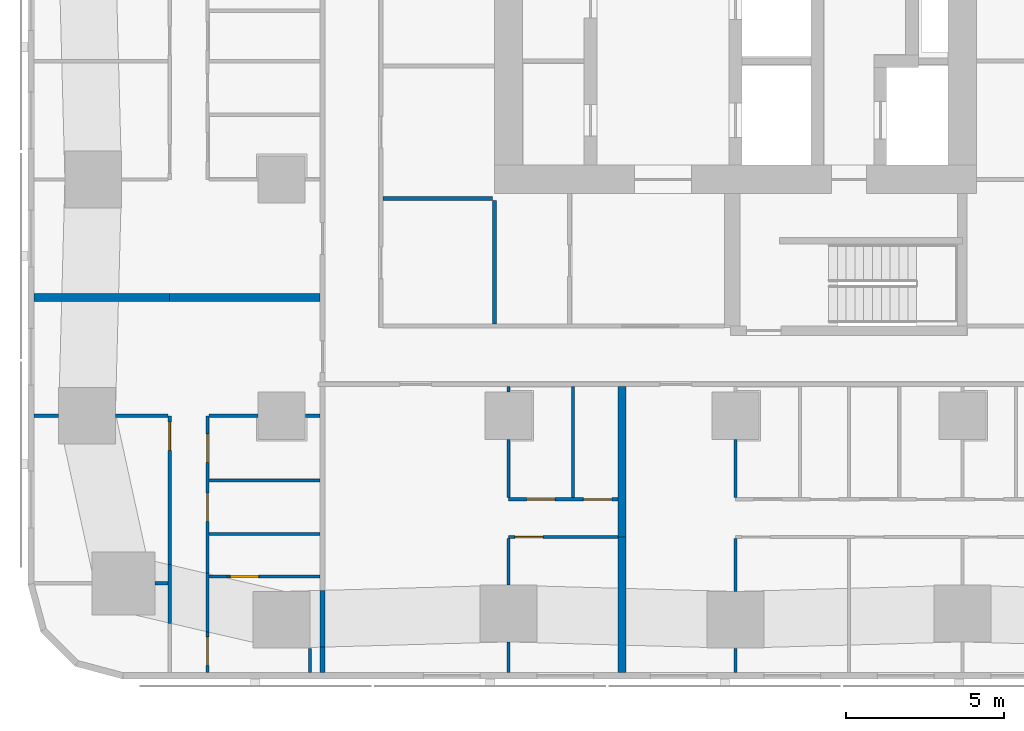
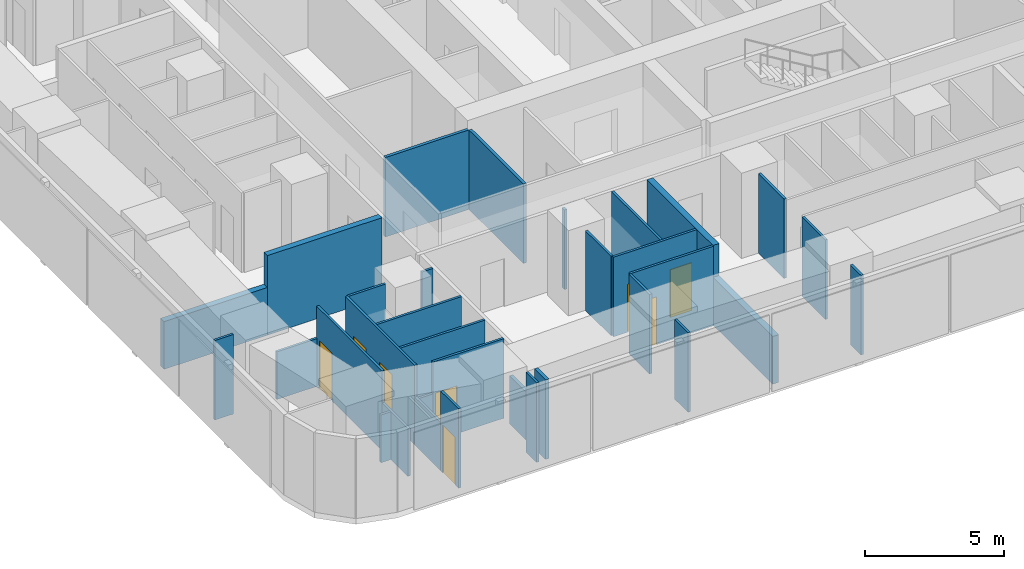
# One storey, part 2 of 15: 33 walls, 8 doors, 8 openings.
"""IFC4 building model written with IfcOpenShell, lengths in metres."""

from ifc_helpers import new_model, si_unit, direction, frame, frame_2d, origin, place, context, subcontext, project, spatial, rectangle, extrude, material, layer, layer_set, type_object, element, fill, save


model = new_model("IFC4")

# Units and contexts
model_context = context("Model", 3, precision=1e-05, world=origin(), true_north=direction((0.0, 1.0)))
body_context = subcontext(model_context, "Body", "Model", "MODEL_VIEW")
ifc_project = project(units=[si_unit("LENGTHUNIT", "METRE"), si_unit("AREAUNIT", "SQUARE_METRE"), si_unit("VOLUMEUNIT", "CUBIC_METRE"), si_unit("PLANEANGLEUNIT", "RADIAN"), si_unit("MASSUNIT", "GRAM", prefix="KILO")], contexts=[model_context])

# Site, building, storey
site_placement = place(None, origin())
site = spatial("IfcSite", under=ifc_project, at=site_placement, CompositionType="ELEMENT")
building_placement = place(site_placement, origin())
building = spatial("IfcBuilding", under=site, at=building_placement, Name="Sheger Commons Tower", CompositionType="ELEMENT")
storey_placement = place(building_placement, frame((0.0, 0.0, 139.550048828125)))
storey = spatial("IfcBuildingStorey", under=building, at=storey_placement, Name="L35", CompositionType="ELEMENT", Elevation=139.550048828125)

# Walls
ifc_material_1 = material(Name="Hollow concrete block masonry, skimmed both sides", Category="masonry")
ifc_layer_1 = layer(ifc_material_1, 0.14990234375)
ifc_layer_set_1 = layer_set([ifc_layer_1], Name="CORRIDOR WALL 150")
wall_type_1 = type_object("IfcWallType", Name="CORRIDOR WALL 150", PredefinedType="SOLIDWALL", material=ifc_layer_set_1)
wall_1_placement = place(storey_placement, frame((8.5, -0.64990234375, 0.0), z_axis=(0.0, 0.0, 1.0), x_axis=(0.0, 1.0, 0.0)))
element("IfcWall", 1, at=wall_1_placement, inside=storey, type_object=wall_type_1, Name="Corridor wall L35", PredefinedType="SOLIDWALL", context=body_context, shape_type="SweptSolid", body=[
    extrude(rectangle(XDim=0.808837890625, YDim=0.14990234375, at=frame_2d((0.404296875, 0.0))), origin(), (0.0, 0.0, 1.0), 3.5),
])
wall_2_placement = place(storey_placement, frame((8.5, 0.158935546875, 0.0), z_axis=(0.0, 0.0, 1.0), x_axis=(0.0, 1.0, 0.0)))
element("IfcWall", 2, at=wall_2_placement, inside=storey, type_object=wall_type_1, Name="Corridor wall L35", PredefinedType="SOLIDWALL", context=body_context, shape_type="SweptSolid", body=[
    extrude(rectangle(XDim=1.80517578125, YDim=0.14990234375, at=frame_2d((0.902587890625, 0.0))), origin(), (0.0, 0.0, 1.0), 2.099853515625),
])
ifc_material_2 = material(Name="Dense concrete block masonry, plastered both sides (separating wall between flats)", Category="masonry")
ifc_layer_2 = layer(ifc_material_2, 0.25)
ifc_layer_set_2 = layer_set([ifc_layer_2], Name="DEMISING WALL 250")
wall_type_2 = type_object("IfcWallType", Name="DEMISING WALL 250", PredefinedType="SOLIDWALL", material=ifc_layer_set_2)
wall_3_placement = place(storey_placement, frame((-0.64990234375, 11.25, 0.0), z_axis=(0.0, 0.0, 1.0), x_axis=(1.0, 0.0, 0.0)))
element("IfcWall", 3, at=wall_3_placement, inside=storey, type_object=wall_type_2, Name="Demising wall L35", PredefinedType="SOLIDWALL", context=body_context, shape_type="SweptSolid", body=[
    extrude(rectangle(XDim=4.2998046875, YDim=0.25, at=frame_2d((2.14990234375, 0.0))), origin(), (0.0, 0.0, 1.0), 2.099853515625),
])
wall_4_placement = place(storey_placement, frame((3.64990234375, 11.25, 0.0), z_axis=(0.0, 0.0, 1.0), x_axis=(1.0, 0.0, 0.0)))
element("IfcWall", 4, at=wall_4_placement, inside=storey, type_object=wall_type_2, Name="Demising wall L35", PredefinedType="SOLIDWALL", context=body_context, shape_type="SweptSolid", body=[
    extrude(rectangle(XDim=4.775146484375, YDim=0.25, at=frame_2d((2.3876953125, 0.0))), origin(), (0.0, 0.0, 1.0), 3.5),
])
wall_5_placement = place(storey_placement, frame((18.0, -0.64990234375, 0.0), z_axis=(0.0, 0.0, 1.0), x_axis=(0.0, 1.0, 0.0)))
element("IfcWall", 5, at=wall_5_placement, inside=storey, type_object=wall_type_2, Name="Demising wall L35", PredefinedType="SOLIDWALL", context=body_context, shape_type="SweptSolid", body=[
    extrude(rectangle(XDim=4.2998046875, YDim=0.25, at=frame_2d((2.14990234375, 0.0))), origin(), (0.0, 0.0, 1.0), 2.099853515625),
])
wall_6_placement = place(storey_placement, frame((18.0, 3.64990234375, 0.0), z_axis=(0.0, 0.0, 1.0), x_axis=(0.0, 1.0, 0.0)))
element("IfcWall", 6, at=wall_6_placement, inside=storey, type_object=wall_type_2, Name="Demising wall L35", PredefinedType="SOLIDWALL", context=body_context, shape_type="SweptSolid", body=[
    extrude(rectangle(XDim=4.775146484375, YDim=0.25, at=frame_2d((2.3876953125, 0.0))), origin(), (0.0, 0.0, 1.0), 3.5),
])
ifc_material_3 = material(Name="Gypsum board on steel studs", Category="steel")
ifc_layer_3 = layer(ifc_material_3, 0.10009765625)
ifc_layer_set_3 = layer_set([ifc_layer_3], Name="PARTITION 100")
wall_type_3 = type_object("IfcWallType", Name="PARTITION 100", PredefinedType="PARTITIONING", material=ifc_layer_set_3)
wall_7_placement = place(storey_placement, frame((8.10009765625, 0.1240234375, 0.0), z_axis=(0.0, 0.0, 1.0), x_axis=(0.0, -1.0, 0.0)))
element("IfcWall", 7, at=wall_7_placement, inside=storey, type_object=wall_type_3, Name="Partition L35", PredefinedType="PARTITIONING", context=body_context, shape_type="SweptSolid", body=[
    extrude(rectangle(XDim=0.77392578125, YDim=0.10009765625, at=frame_2d((0.386962890625, 0.0))), origin(), (0.0, 0.0, 1.0), 3.5),
])
wall_8_placement = place(storey_placement, frame((3.64990234375, 0.912109375, 0.0), z_axis=(0.0, 0.0, 1.0), x_axis=(0.0, 1.0, 0.0)))
element("IfcWall", 8, at=wall_8_placement, inside=storey, type_object=wall_type_3, Name="Partition L35", PredefinedType="PARTITIONING", context=body_context, shape_type="SweptSolid", body=[
    extrude(rectangle(XDim=1.869873046875, YDim=0.10009765625, at=frame_2d((0.93505859375, 0.0))), origin(), (0.0, 0.0, 1.0), 2.099853515625),
])

# Wall, opening, door
wall_9_placement = place(storey_placement, frame((3.64990234375, 2.781982421875, 0.0), z_axis=(0.0, 0.0, 1.0), x_axis=(0.0, 1.0, 0.0)))
wall_9 = element("IfcWall", 9, at=wall_9_placement, inside=storey, type_object=wall_type_3, Name="Partition L35", PredefinedType="PARTITIONING", context=body_context, shape_type="SweptSolid", body=[
    extrude(rectangle(XDim=4.718017578125, YDim=0.10009765625, at=frame_2d((2.35888671875, 0.0))), origin(), (0.0, 0.0, 1.0), 3.5),
])
opening_1_placement = place(wall_9_placement, frame((3.617919921875, 0.0, 0.0)))
opening_1 = element("IfcOpeningElement", 10, at=opening_1_placement, cuts=wall_9, Name="Opening D2", PredefinedType="OPENING", context=body_context, shape_type="SweptSolid", body=[
    extrude(rectangle(XDim=0.89990234375, YDim=2.10009765625, at=frame_2d((0.449951171875, 1.050048828125))), frame((0.0, 0.06005859375, 0.0), z_axis=(0.0, -1.0, 0.0), x_axis=(1.0, 0.0, 0.0)), (0.0, 0.0, 1.0), 0.1201171875),
])
ifc_material_4 = material(Name="Timber door set", Category="wood")
door_type = type_object("IfcDoorType", Name="INTERNAL DOOR 900x2100", OperationType="NOTDEFINED", PredefinedType="DOOR", material=ifc_material_4)
door_1_placement = place(opening_1_placement, origin())
door_1 = element("IfcDoor", 11, at=door_1_placement, inside=storey, type_object=door_type, Name="Main bedroom door", OperationType="SINGLE_SWING_RIGHT", OverallHeight=2.10009765625, OverallWidth=0.89990234375, PredefinedType="DOOR", context=body_context, shape_type="SweptSolid", body=[
    extrude(rectangle(XDim=0.89990234375, YDim=2.10009765625, at=frame_2d((0.449951171875, 1.050048828125))), frame((0.0, 0.02490234375, 0.0), z_axis=(0.0, -1.0, 0.0), x_axis=(1.0, 0.0, 0.0)), (0.0, 0.0, 1.0), 0.050048828125),
])
fill(opening_1, door_1)

wall_10_placement = place(storey_placement, frame((4.85009765625, -0.64990234375, 0.0), z_axis=(0.0, 0.0, 1.0), x_axis=(0.0, 1.0, 0.0)))
wall_10 = element("IfcWall", 12, at=wall_10_placement, inside=storey, type_object=wall_type_3, Name="Partition L35", PredefinedType="PARTITIONING", context=body_context, shape_type="SweptSolid", body=[
    extrude(rectangle(XDim=1.283935546875, YDim=0.10009765625, at=frame_2d((0.64208984375, 0.0))), origin(), (0.0, 0.0, 1.0), 3.5),
])
opening_2_placement = place(wall_10_placement, frame((0.23388671875, 0.0, 0.0)))
opening_2 = element("IfcOpeningElement", 13, at=opening_2_placement, cuts=wall_10, Name="Opening D2", PredefinedType="OPENING", context=body_context, shape_type="SweptSolid", body=[
    extrude(rectangle(XDim=0.89990234375, YDim=2.10009765625, at=frame_2d((0.449951171875, 1.050048828125))), frame((0.0, 0.06005859375, 0.0), z_axis=(0.0, -1.0, 0.0), x_axis=(1.0, 0.0, 0.0)), (0.0, 0.0, 1.0), 0.1201171875),
])
door_2_placement = place(opening_2_placement, origin())
door_2 = element("IfcDoor", 14, at=door_2_placement, inside=storey, type_object=door_type, Name="Store and laundry door", OperationType="SINGLE_SWING_LEFT", OverallHeight=2.10009765625, OverallWidth=0.89990234375, PredefinedType="DOOR", context=body_context, shape_type="SweptSolid", body=[
    extrude(rectangle(XDim=0.89990234375, YDim=2.10009765625, at=frame_2d((0.449951171875, 1.050048828125))), frame((0.0, 0.02490234375, 0.0), z_axis=(0.0, -1.0, 0.0), x_axis=(1.0, 0.0, 0.0)), (0.0, 0.0, 1.0), 0.050048828125),
])
fill(opening_2, door_2)

# Wall
wall_11_placement = place(storey_placement, frame((4.85009765625, 0.634033203125, 0.0), z_axis=(0.0, 0.0, 1.0), x_axis=(0.0, 1.0, 0.0)))
element("IfcWall", 15, at=wall_11_placement, inside=storey, type_object=wall_type_3, Name="Partition L35", PredefinedType="PARTITIONING", context=body_context, shape_type="SweptSolid", body=[
    extrude(rectangle(XDim=1.870849609375, YDim=0.10009765625, at=frame_2d((0.935546875, 0.0))), origin(), (0.0, 0.0, 1.0), 2.099853515625),
])

# Wall, openings, doors
wall_12_placement = place(storey_placement, frame((4.85009765625, 2.5048828125, 0.0), z_axis=(0.0, 0.0, 1.0), x_axis=(0.0, 1.0, 0.0)))
wall_12 = element("IfcWall", 16, at=wall_12_placement, inside=storey, type_object=wall_type_3, Name="Partition L35", PredefinedType="PARTITIONING", context=body_context, shape_type="SweptSolid", body=[
    extrude(rectangle(XDim=4.9951171875, YDim=0.10009765625, at=frame_2d((2.49755859375, 0.0))), origin(), (0.0, 0.0, 1.0), 3.5),
])
opening_3_placement = place(wall_12_placement, frame((3.52001953125, 0.0, 0.0)))
opening_3 = element("IfcOpeningElement", 17, at=opening_3_placement, cuts=wall_12, Name="Opening D2", PredefinedType="OPENING", context=body_context, shape_type="SweptSolid", body=[
    extrude(rectangle(XDim=0.89990234375, YDim=2.10009765625, at=frame_2d((0.449951171875, 1.050048828125))), frame((0.0, 0.06005859375, 0.0), z_axis=(0.0, -1.0, 0.0), x_axis=(1.0, 0.0, 0.0)), (0.0, 0.0, 1.0), 0.1201171875),
])
opening_4_placement = place(wall_12_placement, frame((1.64501953125, 0.0, 0.0)))
opening_4 = element("IfcOpeningElement", 18, at=opening_4_placement, cuts=wall_12, Name="Opening D2", PredefinedType="OPENING", context=body_context, shape_type="SweptSolid", body=[
    extrude(rectangle(XDim=0.89990234375, YDim=2.10009765625, at=frame_2d((0.449951171875, 1.050048828125))), frame((0.0, 0.06005859375, 0.0), z_axis=(0.0, -1.0, 0.0), x_axis=(1.0, 0.0, 0.0)), (0.0, 0.0, 1.0), 0.1201171875),
])
door_3_placement = place(opening_3_placement, origin())
door_3 = element("IfcDoor", 19, at=door_3_placement, inside=storey, type_object=door_type, Name="Bathroom door", OperationType="SINGLE_SWING_LEFT", OverallHeight=2.10009765625, OverallWidth=0.89990234375, PredefinedType="DOOR", context=body_context, shape_type="SweptSolid", body=[
    extrude(rectangle(XDim=0.89990234375, YDim=2.10009765625, at=frame_2d((0.449951171875, 1.050048828125))), frame((0.0, 0.02490234375, 0.0), z_axis=(0.0, -1.0, 0.0), x_axis=(1.0, 0.0, 0.0)), (0.0, 0.0, 1.0), 0.050048828125),
])
fill(opening_3, door_3)
door_4_placement = place(opening_4_placement, origin())
door_4 = element("IfcDoor", 20, at=door_4_placement, inside=storey, type_object=door_type, Name="Store door", OperationType="SINGLE_SWING_LEFT", OverallHeight=2.10009765625, OverallWidth=0.89990234375, PredefinedType="DOOR", context=body_context, shape_type="SweptSolid", body=[
    extrude(rectangle(XDim=0.89990234375, YDim=2.10009765625, at=frame_2d((0.449951171875, 1.050048828125))), frame((0.0, 0.02490234375, 0.0), z_axis=(0.0, -1.0, 0.0), x_axis=(1.0, 0.0, 0.0)), (0.0, 0.0, 1.0), 0.050048828125),
])
fill(opening_4, door_4)

# Walls
wall_13_placement = place(storey_placement, frame((3.18701171875, 2.18603515625, 0.0), z_axis=(0.0, 0.0, 1.0), x_axis=(1.0, 0.0, 0.0)))
element("IfcWall", 21, at=wall_13_placement, inside=storey, type_object=wall_type_3, Name="Partition L35", PredefinedType="PARTITIONING", context=body_context, shape_type="SweptSolid", body=[
    extrude(rectangle(XDim=0.4130859375, YDim=0.10009765625, at=frame_2d((0.20654296875, 0.0))), origin(), (0.0, 0.0, 1.0), 2.099853515625),
])
wall_14_placement = place(storey_placement, frame((-0.64990234375, 7.5, 0.0), z_axis=(0.0, 0.0, 1.0), x_axis=(1.0, 0.0, 0.0)))
element("IfcWall", 22, at=wall_14_placement, inside=storey, type_object=wall_type_3, Name="Partition L35", PredefinedType="PARTITIONING", context=body_context, shape_type="SweptSolid", body=[
    extrude(rectangle(XDim=0.77392578125, YDim=0.10009765625, at=frame_2d((0.386962890625, 0.0))), origin(), (0.0, 0.0, 1.0), 3.5),
])
wall_15_placement = place(storey_placement, frame((1.926025390625, 7.5, 0.0), z_axis=(0.0, 0.0, 1.0), x_axis=(1.0, 0.0, 0.0)))
element("IfcWall", 23, at=wall_15_placement, inside=storey, type_object=wall_type_3, Name="Partition L35", PredefinedType="PARTITIONING", context=body_context, shape_type="SweptSolid", body=[
    extrude(rectangle(XDim=1.674072265625, YDim=0.10009765625, at=frame_2d((0.8369140625, 0.0))), origin(), (0.0, 0.0, 1.0), 2.099853515625),
])
wall_16_placement = place(storey_placement, frame((4.89990234375, 3.75, 0.0), z_axis=(0.0, 0.0, 1.0), x_axis=(1.0, 0.0, 0.0)))
element("IfcWall", 24, at=wall_16_placement, inside=storey, type_object=wall_type_3, Name="Partition L35", PredefinedType="PARTITIONING", context=body_context, shape_type="SweptSolid", body=[
    extrude(rectangle(XDim=3.525146484375, YDim=0.10009765625, at=frame_2d((1.7626953125, 0.0))), origin(), (0.0, 0.0, 1.0), 3.5),
])
wall_17_placement = place(storey_placement, frame((4.89990234375, 7.5, 0.0), z_axis=(0.0, 0.0, 1.0), x_axis=(1.0, 0.0, 0.0)))
element("IfcWall", 25, at=wall_17_placement, inside=storey, type_object=wall_type_3, Name="Partition L35", PredefinedType="PARTITIONING", context=body_context, shape_type="SweptSolid", body=[
    extrude(rectangle(XDim=1.549072265625, YDim=0.10009765625, at=frame_2d((0.7744140625, 0.0))), origin(), (0.0, 0.0, 1.0), 3.5),
])
wall_18_placement = place(storey_placement, frame((7.950927734375, 7.5, 0.0), z_axis=(0.0, 0.0, 1.0), x_axis=(1.0, 0.0, 0.0)))
element("IfcWall", 26, at=wall_18_placement, inside=storey, type_object=wall_type_3, Name="Partition L35", PredefinedType="PARTITIONING", context=body_context, shape_type="SweptSolid", body=[
    extrude(rectangle(XDim=0.47412109375, YDim=0.10009765625, at=frame_2d((0.237060546875, 0.0))), origin(), (0.0, 0.0, 1.0), 3.5),
])
wall_19_placement = place(storey_placement, frame((4.89990234375, 5.449951171875, 0.0), z_axis=(0.0, 0.0, 1.0), x_axis=(1.0, 0.0, 0.0)))
element("IfcWall", 27, at=wall_19_placement, inside=storey, type_object=wall_type_3, Name="Partition L35", PredefinedType="PARTITIONING", context=body_context, shape_type="SweptSolid", body=[
    extrude(rectangle(XDim=3.525146484375, YDim=0.10009765625, at=frame_2d((1.7626953125, 0.0))), origin(), (0.0, 0.0, 1.0), 3.5),
])

# Wall, opening, door
wall_20_placement = place(storey_placement, frame((17.875, 3.64990234375, 0.0), z_axis=(0.0, 0.0, 1.0), x_axis=(-1.0, 0.0, 0.0)))
wall_20 = element("IfcWall", 28, at=wall_20_placement, inside=storey, type_object=wall_type_3, Name="Partition L35", PredefinedType="PARTITIONING", context=body_context, shape_type="SweptSolid", body=[
    extrude(rectangle(XDim=3.47509765625, YDim=0.10009765625, at=frame_2d((1.737548828125, 0.0))), origin(), (0.0, 0.0, 1.0), 3.5),
])
opening_5_placement = place(wall_20_placement, frame((2.375, 0.0, 0.0)))
opening_5 = element("IfcOpeningElement", 29, at=opening_5_placement, cuts=wall_20, Name="Opening D2", PredefinedType="OPENING", context=body_context, shape_type="SweptSolid", body=[
    extrude(rectangle(XDim=0.89990234375, YDim=2.10009765625, at=frame_2d((0.449951171875, 1.050048828125))), frame((0.0, 0.06005859375, 0.0), z_axis=(0.0, -1.0, 0.0), x_axis=(1.0, 0.0, 0.0)), (0.0, 0.0, 1.0), 0.1201171875),
])
door_5_placement = place(opening_5_placement, origin())
door_5 = element("IfcDoor", 30, at=door_5_placement, inside=storey, type_object=door_type, Name="Main bedroom door", OperationType="SINGLE_SWING_RIGHT", OverallHeight=2.10009765625, OverallWidth=0.89990234375, PredefinedType="DOOR", context=body_context, shape_type="SweptSolid", body=[
    extrude(rectangle(XDim=0.89990234375, YDim=2.10009765625, at=frame_2d((0.449951171875, 1.050048828125))), frame((0.0, 0.02490234375, 0.0), z_axis=(0.0, -1.0, 0.0), x_axis=(1.0, 0.0, 0.0)), (0.0, 0.0, 1.0), 0.050048828125),
])
fill(opening_5, door_5)

# Wall, openings, doors
wall_21_placement = place(storey_placement, frame((17.875, 4.85009765625, 0.0), z_axis=(0.0, 0.0, 1.0), x_axis=(-1.0, 0.0, 0.0)))
wall_21 = element("IfcWall", 31, at=wall_21_placement, inside=storey, type_object=wall_type_3, Name="Partition L35", PredefinedType="PARTITIONING", context=body_context, shape_type="SweptSolid", body=[
    extrude(rectangle(XDim=3.47509765625, YDim=0.10009765625, at=frame_2d((1.737548828125, 0.0))), origin(), (0.0, 0.0, 1.0), 3.5),
])
opening_6_placement = place(wall_21_placement, frame((2.0, 0.0, 0.0)))
opening_6 = element("IfcOpeningElement", 32, at=opening_6_placement, cuts=wall_21, Name="Opening D2", PredefinedType="OPENING", context=body_context, shape_type="SweptSolid", body=[
    extrude(rectangle(XDim=0.89990234375, YDim=2.10009765625, at=frame_2d((0.449951171875, 1.050048828125))), frame((0.0, 0.06005859375, 0.0), z_axis=(0.0, -1.0, 0.0), x_axis=(1.0, 0.0, 0.0)), (0.0, 0.0, 1.0), 0.1201171875),
])
opening_7_placement = place(wall_21_placement, frame((0.199951171875, 0.0, 0.0)))
opening_7 = element("IfcOpeningElement", 33, at=opening_7_placement, cuts=wall_21, Name="Opening D2", PredefinedType="OPENING", context=body_context, shape_type="SweptSolid", body=[
    extrude(rectangle(XDim=0.89990234375, YDim=2.10009765625, at=frame_2d((0.449951171875, 1.050048828125))), frame((0.0, 0.06005859375, 0.0), z_axis=(0.0, -1.0, 0.0), x_axis=(1.0, 0.0, 0.0)), (0.0, 0.0, 1.0), 0.1201171875),
])
door_6_placement = place(opening_6_placement, origin())
door_6 = element("IfcDoor", 34, at=door_6_placement, inside=storey, type_object=door_type, Name="Bathroom door", OperationType="SINGLE_SWING_LEFT", OverallHeight=2.10009765625, OverallWidth=0.89990234375, PredefinedType="DOOR", context=body_context, shape_type="SweptSolid", body=[
    extrude(rectangle(XDim=0.89990234375, YDim=2.10009765625, at=frame_2d((0.449951171875, 1.050048828125))), frame((0.0, 0.02490234375, 0.0), z_axis=(0.0, -1.0, 0.0), x_axis=(1.0, 0.0, 0.0)), (0.0, 0.0, 1.0), 0.050048828125),
])
fill(opening_6, door_6)
door_7_placement = place(opening_7_placement, origin())
door_7 = element("IfcDoor", 35, at=door_7_placement, inside=storey, type_object=door_type, Name="Store door", OperationType="SINGLE_SWING_RIGHT", OverallHeight=2.10009765625, OverallWidth=0.89990234375, PredefinedType="DOOR", context=body_context, shape_type="SweptSolid", body=[
    extrude(rectangle(XDim=0.89990234375, YDim=2.10009765625, at=frame_2d((0.449951171875, 1.050048828125))), frame((0.0, 0.02490234375, 0.0), z_axis=(0.0, -1.0, 0.0), x_axis=(1.0, 0.0, 0.0)), (0.0, 0.0, 1.0), 0.050048828125),
])
fill(opening_7, door_7)

# Walls
wall_22_placement = place(storey_placement, frame((14.39990234375, -0.64990234375, 0.0), z_axis=(0.0, 0.0, 1.0), x_axis=(0.0, 1.0, 0.0)))
element("IfcWall", 36, at=wall_22_placement, inside=storey, type_object=wall_type_3, Name="Partition L35", PredefinedType="PARTITIONING", context=body_context, shape_type="SweptSolid", body=[
    extrude(rectangle(XDim=0.973876953125, YDim=0.10009765625, at=frame_2d((0.48681640625, 0.0))), origin(), (0.0, 0.0, 1.0), 3.5),
])
wall_23_placement = place(storey_placement, frame((14.39990234375, 2.1259765625, 0.0), z_axis=(0.0, 0.0, 1.0), x_axis=(0.0, 1.0, 0.0)))
element("IfcWall", 37, at=wall_23_placement, inside=storey, type_object=wall_type_3, Name="Partition L35", PredefinedType="PARTITIONING", context=body_context, shape_type="SweptSolid", body=[
    extrude(rectangle(XDim=1.47412109375, YDim=0.10009765625, at=frame_2d((0.737060546875, 0.0))), origin(), (0.0, 0.0, 1.0), 3.5),
])
wall_24_placement = place(storey_placement, frame((14.39990234375, 4.89990234375, 0.0), z_axis=(0.0, 0.0, 1.0), x_axis=(0.0, 1.0, 0.0)))
element("IfcWall", 38, at=wall_24_placement, inside=storey, type_object=wall_type_3, Name="Partition L35", PredefinedType="PARTITIONING", context=body_context, shape_type="SweptSolid", body=[
    extrude(rectangle(XDim=1.84912109375, YDim=0.10009765625, at=frame_2d((0.924560546875, 0.0))), origin(), (0.0, 0.0, 1.0), 3.5),
])
wall_25_placement = place(storey_placement, frame((14.39990234375, 8.2509765625, 0.0), z_axis=(0.0, 0.0, 1.0), x_axis=(0.0, 1.0, 0.0)))
element("IfcWall", 39, at=wall_25_placement, inside=storey, type_object=wall_type_3, Name="Partition L35", PredefinedType="PARTITIONING", context=body_context, shape_type="SweptSolid", body=[
    extrude(rectangle(XDim=0.174072265625, YDim=0.10009765625, at=frame_2d((0.0869140625, 0.0))), origin(), (0.0, 0.0, 1.0), 3.5),
])
wall_26_placement = place(storey_placement, frame((16.449951171875, 4.89990234375, 0.0), z_axis=(0.0, 0.0, 1.0), x_axis=(0.0, 1.0, 0.0)))
element("IfcWall", 40, at=wall_26_placement, inside=storey, type_object=wall_type_3, Name="Partition L35", PredefinedType="PARTITIONING", context=body_context, shape_type="SweptSolid", body=[
    extrude(rectangle(XDim=3.525146484375, YDim=0.10009765625, at=frame_2d((1.7626953125, 0.0))), origin(), (0.0, 0.0, 1.0), 3.5),
])
wall_27_placement = place(storey_placement, frame((21.60009765625, -0.64990234375, 0.0), z_axis=(0.0, 0.0, 1.0), x_axis=(0.0, 1.0, 0.0)))
element("IfcWall", 41, at=wall_27_placement, inside=storey, type_object=wall_type_3, Name="Partition L35", PredefinedType="PARTITIONING", context=body_context, shape_type="SweptSolid", body=[
    extrude(rectangle(XDim=0.77392578125, YDim=0.10009765625, at=frame_2d((0.386962890625, 0.0))), origin(), (0.0, 0.0, 1.0), 3.5),
])
wall_28_placement = place(storey_placement, frame((21.60009765625, 1.926025390625, 0.0), z_axis=(0.0, 0.0, 1.0), x_axis=(0.0, 1.0, 0.0)))
element("IfcWall", 42, at=wall_28_placement, inside=storey, type_object=wall_type_3, Name="Partition L35", PredefinedType="PARTITIONING", context=body_context, shape_type="SweptSolid", body=[
    extrude(rectangle(XDim=1.674072265625, YDim=0.10009765625, at=frame_2d((0.8369140625, 0.0))), origin(), (0.0, 0.0, 1.0), 3.5),
])
wall_29_placement = place(storey_placement, frame((21.60009765625, 4.89990234375, 0.0), z_axis=(0.0, 0.0, 1.0), x_axis=(0.0, 1.0, 0.0)))
element("IfcWall", 43, at=wall_29_placement, inside=storey, type_object=wall_type_3, Name="Partition L35", PredefinedType="PARTITIONING", context=body_context, shape_type="SweptSolid", body=[
    extrude(rectangle(XDim=1.84912109375, YDim=0.10009765625, at=frame_2d((0.924560546875, 0.0))), origin(), (0.0, 0.0, 1.0), 3.5),
])

# Wall, opening, door
wall_30_placement = place(storey_placement, frame((5.467041015625, 2.39990234375, 0.0), z_axis=(0.0, 0.0, 1.0), x_axis=(1.0, 0.0, 0.0)))
wall_30 = element("IfcWall", 44, at=wall_30_placement, inside=storey, type_object=wall_type_3, Name="Partition L35", PredefinedType="PARTITIONING", context=body_context, shape_type="SweptSolid", body=[
    extrude(rectangle(XDim=2.9580078125, YDim=0.10009765625, at=frame_2d((1.47900390625, 0.0))), origin(), (0.0, 0.0, 1.0), 3.5),
])
opening_8_placement = place(wall_30_placement, frame((0.10791015625, 0.0, 0.0)))
opening_8 = element("IfcOpeningElement", 45, at=opening_8_placement, cuts=wall_30, Name="Opening D2", PredefinedType="OPENING", context=body_context, shape_type="SweptSolid", body=[
    extrude(rectangle(XDim=0.89990234375, YDim=2.10009765625, at=frame_2d((0.449951171875, 1.050048828125))), frame((0.0, 0.06005859375, 0.0), z_axis=(0.0, -1.0, 0.0), x_axis=(1.0, 0.0, 0.0)), (0.0, 0.0, 1.0), 0.1201171875),
])
door_8_placement = place(opening_8_placement, origin())
door_8 = element("IfcDoor", 46, at=door_8_placement, inside=storey, type_object=door_type, Name="Store door", OperationType="SINGLE_SWING_LEFT", OverallHeight=2.10009765625, OverallWidth=0.89990234375, PredefinedType="DOOR", context=body_context, shape_type="SweptSolid", body=[
    extrude(rectangle(XDim=0.89990234375, YDim=2.10009765625, at=frame_2d((0.449951171875, 1.050048828125))), frame((0.0, 0.02490234375, 0.0), z_axis=(0.0, -1.0, 0.0), x_axis=(1.0, 0.0, 0.0)), (0.0, 0.0, 1.0), 0.050048828125),
])
fill(opening_8, door_8)

# Walls
wall_31_placement = place(storey_placement, frame((5.467041015625, 2.39990234375, 0.0), z_axis=(0.0, 0.0, 1.0), x_axis=(-1.0, 0.0, 0.0)))
element("IfcWall", 47, at=wall_31_placement, inside=storey, type_object=wall_type_3, Name="Partition L35", PredefinedType="PARTITIONING", context=body_context, shape_type="SweptSolid", body=[
    extrude(rectangle(XDim=0.567138671875, YDim=0.10009765625, at=frame_2d((0.28369140625, 0.0))), origin(), (0.0, 0.0, 1.0), 2.099853515625),
])
ifc_material_5 = material(Name="Gypsum board on steel studs, two layers each side, fire rated", Category="steel")
ifc_layer_4 = layer(ifc_material_5, 0.125)
ifc_layer_set_4 = layer_set([ifc_layer_4], Name="SERVICE WALL 125")
wall_type_4 = type_object("IfcWallType", Name="SERVICE WALL 125", PredefinedType="PARTITIONING", material=ifc_layer_set_4)
wall_32_placement = place(storey_placement, frame((10.4130859375, 14.39990234375, 0.0), z_axis=(0.0, 0.0, 1.0), x_axis=(1.0, 0.0, 0.0)))
element("IfcWall", 48, at=wall_32_placement, inside=storey, type_object=wall_type_4, Name="Service room wall L35", PredefinedType="PARTITIONING", context=body_context, shape_type="SweptSolid", body=[
    extrude(rectangle(XDim=3.474853515625, YDim=0.125, at=frame_2d((1.7373046875, 0.0))), origin(), (0.0, 0.0, 1.0), 3.5),
])
wall_33_placement = place(storey_placement, frame((13.949951171875, 10.4130859375, 0.0), z_axis=(0.0, 0.0, 1.0), x_axis=(0.0, 1.0, 0.0)))
element("IfcWall", 49, at=wall_33_placement, inside=storey, type_object=wall_type_4, Name="Service room wall L35", PredefinedType="PARTITIONING", context=body_context, shape_type="SweptSolid", body=[
    extrude(rectangle(XDim=3.9248046875, YDim=0.125, at=frame_2d((1.96240234375, 0.0))), origin(), (0.0, 0.0, 1.0), 3.5),
])

save(model, "model.ifc")
